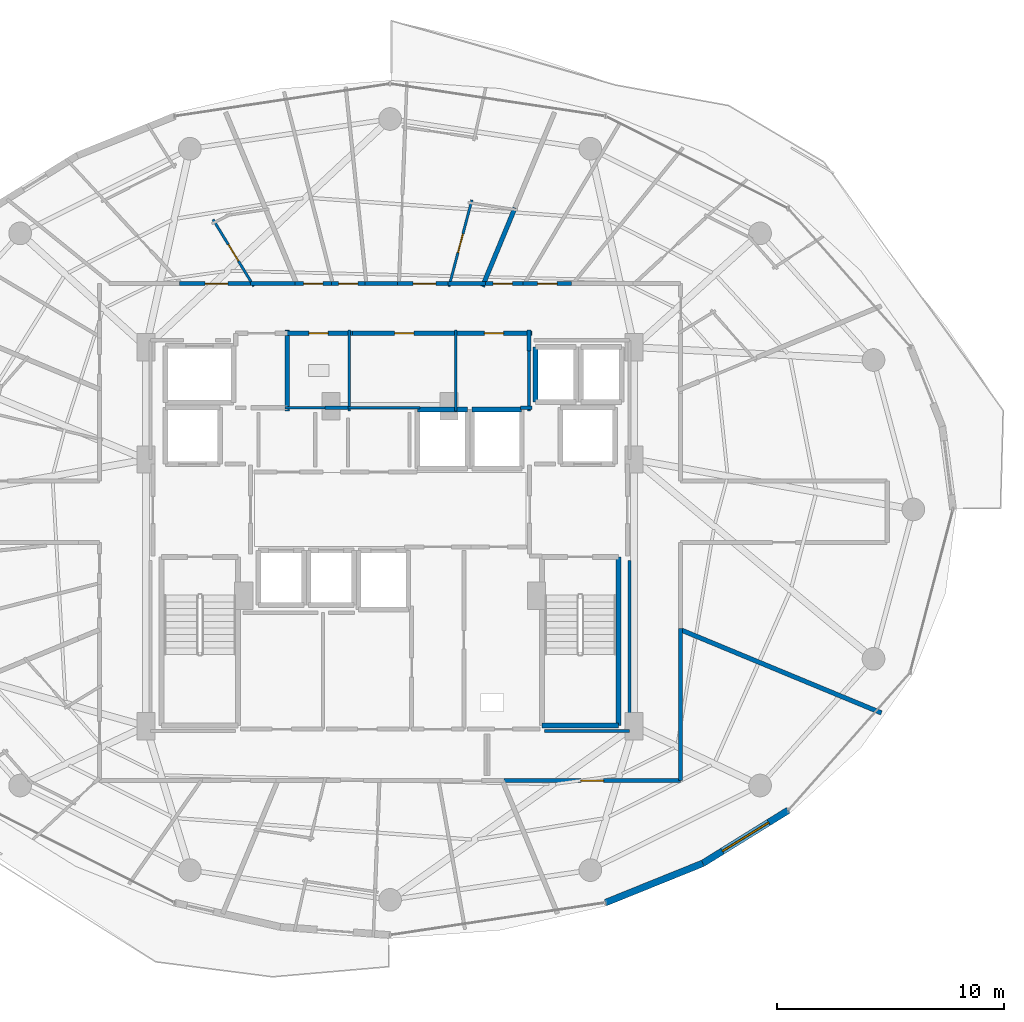
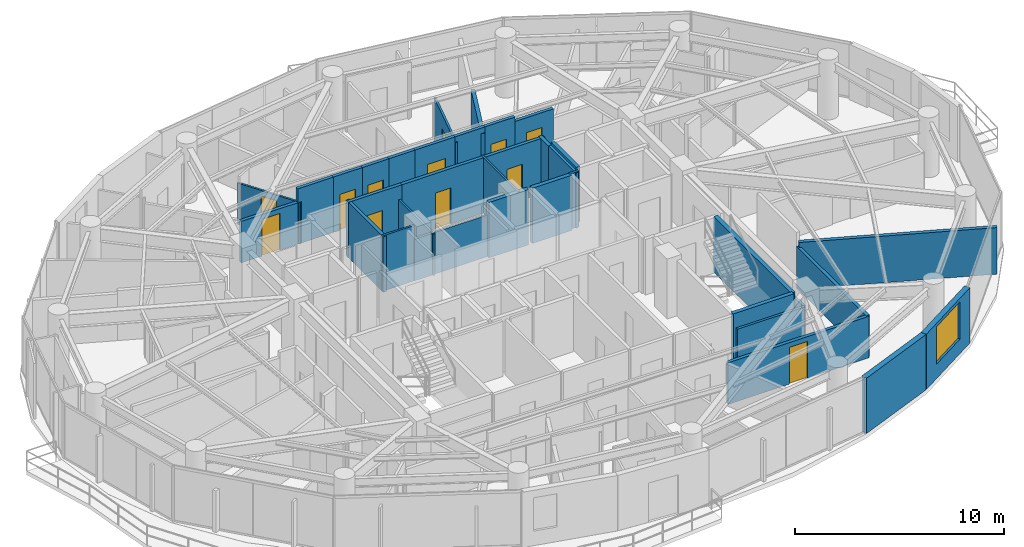
# One storey, part 23 of 28: 36 walls, 12 doors, 1 window, 13 openings.
"""IFC4 building model written with IfcOpenShell, lengths in metres."""

from ifc_helpers import new_model, si_unit, direction, frame, frame_2d, origin, place, context, subcontext, project, spatial, rectangle, extrude, material, layer, layer_set, type_object, element, fill, save


model = new_model("IFC4")

# Units and contexts
model_context = context("Model", 3, precision=1e-05, world=origin(), true_north=direction((0.0, 1.0)))
body_context = subcontext(model_context, "Body", "Model", "MODEL_VIEW")
ifc_project = project(units=[si_unit("LENGTHUNIT", "METRE"), si_unit("AREAUNIT", "SQUARE_METRE"), si_unit("VOLUMEUNIT", "CUBIC_METRE"), si_unit("PLANEANGLEUNIT", "RADIAN"), si_unit("MASSUNIT", "GRAM", prefix="KILO")], contexts=[model_context])

# Site, building, storey
site_placement = place(None, origin())
site = spatial("IfcSite", under=ifc_project, at=site_placement, CompositionType="ELEMENT")
building_placement = place(site_placement, origin())
building = spatial("IfcBuilding", under=site, at=building_placement, Name="Vorneva Point Tower", CompositionType="ELEMENT")
storey_placement = place(building_placement, frame((0.0, 0.0, 143.10009765625)))
storey = spatial("IfcBuildingStorey", under=building, at=storey_placement, Name="L38", CompositionType="ELEMENT", Elevation=143.10009765625)

# Wall
ifc_material_1 = material(Name="Precast concrete B50 (C40/50)", Category="concrete")
ifc_layer_1 = layer(ifc_material_1, 0.300048828125)
ifc_layer_set_1 = layer_set([ifc_layer_1], Name="Precast concrete B50 (C40/50)")
wall_type_1 = type_object("IfcWallType", Name="WL-EXT-300", PredefinedType="STANDARD", material=ifc_layer_set_1)
wall_1_placement = place(storey_placement, frame((47.490478515625, 8.67724609375, 0.0), z_axis=(0.0, 0.0, 1.0), x_axis=(0.927156504392, 0.374674280359, 0.0)))
element("IfcWall", 1, at=wall_1_placement, inside=storey, type_object=wall_type_1, Name="L38 Pale-Metal Facade Spandrel Wall 14.1", PredefinedType="STANDARD", context=body_context, shape_type="SweptSolid", body=[
    extrude(rectangle(XDim=4.62451171875, YDim=0.300048828125, at=frame_2d((2.312255859375, 0.0))), origin(), (0.0, 0.0, 1.0), 3.239990234375),
])

# Wall, opening, window
wall_2_placement = place(storey_placement, frame((51.778076171875, 10.409912109375, 0.0), z_axis=(0.0, 0.0, 1.0), x_axis=(0.849721181976, 0.527232313977, 0.0)))
wall_2 = element("IfcWall", 2, at=wall_2_placement, inside=storey, type_object=wall_type_1, Name="L38 Pale-Metal Facade Spandrel Wall 14.2", PredefinedType="STANDARD", context=body_context, shape_type="SweptSolid", body=[
    extrude(rectangle(XDim=4.422607421875, YDim=0.300048828125, at=frame_2d((2.21142578125, 0.0))), origin(), (0.0, 0.0, 1.0), 3.239990234375),
])
opening_1_placement = place(wall_2_placement, frame((1.011474609375, 0.0, 0.85009765625)))
opening_1 = element("IfcOpeningElement", 3, at=opening_1_placement, cuts=wall_2, Name="Opening W-03", PredefinedType="OPENING", context=body_context, shape_type="SweptSolid", body=[
    extrude(rectangle(XDim=2.39990234375, YDim=2.18994140625, at=frame_2d((1.199951171875, 1.094970703125))), frame((0.0, 0.1650390625, 0.0), z_axis=(0.0, -1.0, 0.0), x_axis=(1.0, 0.0, 0.0)), (0.0, 0.0, 1.0), 0.329833984375),
])
ifc_material_2 = material(Name="Double low-e laminated glass IGU", Category="glass")
window_type = type_object("IfcWindowType", Name="WN-RES-2400", PartitioningType="SINGLE_PANEL", PredefinedType="WINDOW", material=ifc_material_2)
window_placement = place(opening_1_placement, origin())
window = element("IfcWindow", 4, at=window_placement, inside=storey, type_object=window_type, Name="L38 Facade Window 14", OverallHeight=2.18994140625, OverallWidth=2.39990234375, PartitioningType="SINGLE_PANEL", PredefinedType="WINDOW", context=body_context, shape_type="SweptSolid", body=[
    extrude(rectangle(XDim=2.39990234375, YDim=2.18994140625, at=frame_2d((1.199951171875, 1.094970703125))), frame((0.0, 0.030029296875, 0.0), z_axis=(0.0, -1.0, 0.0), x_axis=(1.0, 0.0, 0.0)), (0.0, 0.0, 1.0), 0.06005859375),
])
fill(opening_1, window)

# Walls
ifc_material_3 = material(Name="Fire-rated acoustic gypsum stud partition", Category="gypsum")
ifc_layer_2 = layer(ifc_material_3, 0.110107421875)
ifc_layer_set_2 = layer_set([ifc_layer_2], Name="Fire-rated acoustic gypsum stud partition")
wall_type_2 = type_object("IfcWallType", Name="WL-PART-110", PredefinedType="PARTITIONING", material=ifc_layer_set_2)
wall_3_placement = place(storey_placement, frame((36.199951171875, 30.340087890625, 0.0), z_axis=(0.0, 0.0, 1.0), x_axis=(0.0, 1.0, 0.0)))
element("IfcWall", 5, at=wall_3_placement, inside=storey, type_object=wall_type_2, Name="L38 Interior Partition 018", PredefinedType="PARTITIONING", context=body_context, shape_type="SweptSolid", body=[
    extrude(rectangle(XDim=3.559814453125, YDim=0.110107421875, at=frame_2d((1.77978515625, 0.0))), origin(), (0.0, 0.0, 1.0), 2.431884765625),
])
wall_4_placement = place(storey_placement, frame((33.360107421875, 30.47998046875, 0.0), z_axis=(0.0, 0.0, 1.0), x_axis=(1.0, 0.0, 0.0)))
element("IfcWall", 6, at=wall_4_placement, inside=storey, type_object=wall_type_2, Name="L38 Interior Partition 019", PredefinedType="PARTITIONING", context=body_context, shape_type="SweptSolid", body=[
    extrude(rectangle(XDim=1.809814453125, YDim=0.110107421875, at=frame_2d((0.90478515625, 0.0))), origin(), (0.0, 0.0, 1.0), 3.239990234375),
])
wall_5_placement = place(storey_placement, frame((40.89990234375, 30.340087890625, 0.0), z_axis=(0.0, 0.0, 1.0), x_axis=(0.0, 1.0, 0.0)))
element("IfcWall", 7, at=wall_5_placement, inside=storey, type_object=wall_type_2, Name="L38 Interior Partition 021", PredefinedType="PARTITIONING", context=body_context, shape_type="SweptSolid", body=[
    extrude(rectangle(XDim=3.559814453125, YDim=0.110107421875, at=frame_2d((1.77978515625, 0.0))), origin(), (0.0, 0.0, 1.0), 3.239990234375),
])
wall_6_placement = place(storey_placement, frame((36.110107421875, 30.47998046875, 0.0), z_axis=(0.0, 0.0, 1.0), x_axis=(1.0, 0.0, 0.0)))
element("IfcWall", 8, at=wall_6_placement, inside=storey, type_object=wall_type_2, Name="L38 Interior Partition 022", PredefinedType="PARTITIONING", context=body_context, shape_type="SweptSolid", body=[
    extrude(rectangle(XDim=3.2099609375, YDim=0.110107421875, at=frame_2d((1.60498046875, 0.0))), origin(), (0.0, 0.0, 1.0), 2.431884765625),
])

# Wall, opening, door
wall_7_placement = place(storey_placement, frame((40.59423828125, 35.814697265625, 0.0), z_axis=(0.0, 0.0, 1.0), x_axis=(0.255512094359, 0.966805859331, 0.0)))
wall_7 = element("IfcWall", 9, at=wall_7_placement, inside=storey, type_object=wall_type_2, Name="L38 Interior Partition 082", PredefinedType="PARTITIONING", context=body_context, shape_type="SweptSolid", body=[
    extrude(rectangle(XDim=3.950927734375, YDim=0.110107421875, at=frame_2d((1.9755859375, 0.0))), origin(), (0.0, 0.0, 1.0), 2.921875),
])
opening_2_placement = place(wall_7_placement, frame((1.550537109375, 0.0, 0.0)))
opening_2 = element("IfcOpeningElement", 10, at=opening_2_placement, cuts=wall_7, Name="Opening ID-02", PredefinedType="OPENING", context=body_context, shape_type="SweptSolid", body=[
    extrude(rectangle(XDim=0.85009765625, YDim=2.10009765625, at=frame_2d((0.425048828125, 1.050048828125))), frame((0.0, 0.06982421875, 0.0), z_axis=(0.0, -1.0, 0.0), x_axis=(1.0, 0.0, 0.0)), (0.0, 0.0, 1.0), 0.139892578125),
])
ifc_material_4 = material(Name="Engineered oak fire-rated door leaf", Category="wood")
door_type_1 = type_object("IfcDoorType", Name="DR-BATH-850", OperationType="NOTDEFINED", PredefinedType="DOOR", material=ifc_material_4)
door_1_placement = place(opening_2_placement, origin())
door_1 = element("IfcDoor", 11, at=door_1_placement, inside=storey, type_object=door_type_1, Name="L38 Door Living and Dining Room L38-02 / Bathroom L38-02", OperationType="SINGLE_SWING_LEFT", OverallHeight=2.10009765625, OverallWidth=0.85009765625, PredefinedType="DOOR", context=body_context, shape_type="SweptSolid", body=[
    extrude(rectangle(XDim=0.85009765625, YDim=2.10009765625, at=frame_2d((0.425048828125, 1.050048828125))), frame((0.0, 0.02490234375, 0.0), z_axis=(0.0, -1.0, 0.0), x_axis=(1.0, 0.0, 0.0)), (0.0, 0.0, 1.0), 0.050048828125),
])
fill(opening_2, door_1)

wall_8_placement = place(storey_placement, frame((31.9970703125, 35.83056640625, 0.0), z_axis=(0.0, 0.0, 1.0), x_axis=(-0.521220733209, 0.853421904613, 0.0)))
wall_8 = element("IfcWall", 12, at=wall_8_placement, inside=storey, type_object=wall_type_2, Name="L38 Interior Partition 092", PredefinedType="PARTITIONING", context=body_context, shape_type="SweptSolid", body=[
    extrude(rectangle(XDim=3.446044921875, YDim=0.110107421875, at=frame_2d((1.72314453125, 0.0))), origin(), (0.0, 0.0, 1.0), 2.431884765625),
])
opening_3_placement = place(wall_8_placement, frame((1.298095703125, 0.0, 0.0)))
opening_3 = element("IfcOpeningElement", 13, at=opening_3_placement, cuts=wall_8, Name="Opening ID-02", PredefinedType="OPENING", context=body_context, shape_type="SweptSolid", body=[
    extrude(rectangle(XDim=0.85009765625, YDim=2.10009765625, at=frame_2d((0.425048828125, 1.050048828125))), frame((0.0, 0.06982421875, 0.0), z_axis=(0.0, -1.0, 0.0), x_axis=(1.0, 0.0, 0.0)), (0.0, 0.0, 1.0), 0.139892578125),
])
door_2_placement = place(opening_3_placement, origin())
door_2 = element("IfcDoor", 14, at=door_2_placement, inside=storey, type_object=door_type_1, Name="L38 Door Living and Dining Room L38-03 / Bathroom L38-03", OperationType="SINGLE_SWING_RIGHT", OverallHeight=2.10009765625, OverallWidth=0.85009765625, PredefinedType="DOOR", context=body_context, shape_type="SweptSolid", body=[
    extrude(rectangle(XDim=0.85009765625, YDim=2.10009765625, at=frame_2d((0.425048828125, 1.050048828125))), frame((0.0, 0.02490234375, 0.0), z_axis=(0.0, -1.0, 0.0), x_axis=(1.0, 0.0, 0.0)), (0.0, 0.0, 1.0), 0.050048828125),
])
fill(opening_3, door_2)

# Walls
ifc_layer_3 = layer(ifc_material_3, 0.139892578125)
ifc_layer_set_3 = layer_set([ifc_layer_3], Name="Fire-rated acoustic gypsum stud partition")
wall_type_3 = type_object("IfcWallType", Name="WL-PART-140", PredefinedType="PARTITIONING", material=ifc_layer_set_3)
wall_9_placement = place(storey_placement, frame((35.139892578125, 30.47998046875, 0.0), z_axis=(0.0, 0.0, 1.0), x_axis=(1.0, 0.0, 0.0)))
element("IfcWall", 15, at=wall_9_placement, inside=storey, type_object=wall_type_3, Name="L38 Interior Closure Partition 137", PredefinedType="PARTITIONING", context=body_context, shape_type="SweptSolid", body=[
    extrude(rectangle(XDim=1.0, YDim=0.139892578125, at=frame_2d((0.5, 0.0))), origin(), (0.0, 0.0, 1.0), 2.431884765625),
])
wall_10_placement = place(storey_placement, frame((43.735107421875, 30.47998046875, 0.0), z_axis=(0.0, 0.0, 1.0), x_axis=(1.0, 0.0, 0.0)))
element("IfcWall", 16, at=wall_10_placement, inside=storey, type_object=wall_type_3, Name="L38 Interior Closure Partition 138", PredefinedType="PARTITIONING", context=body_context, shape_type="SweptSolid", body=[
    extrude(rectangle(XDim=0.52490234375, YDim=0.139892578125, at=frame_2d((0.262451171875, 0.0))), origin(), (0.0, 0.0, 1.0), 3.239990234375),
])
wall_11_placement = place(storey_placement, frame((44.1201171875, 30.340087890625, 0.0), z_axis=(0.0, 0.0, 1.0), x_axis=(0.0, 1.0, 0.0)))
element("IfcWall", 17, at=wall_11_placement, inside=storey, type_object=wall_type_3, Name="L38 Interior Closure Partition 139", PredefinedType="PARTITIONING", context=body_context, shape_type="SweptSolid", body=[
    extrude(rectangle(XDim=2.659912109375, YDim=0.139892578125, at=frame_2d((1.330078125, 0.0))), origin(), (0.0, 0.0, 1.0), 3.239990234375),
])
wall_12_placement = place(storey_placement, frame((48.550048828125, 16.239990234375, 0.0), z_axis=(0.0, 0.0, 1.0), x_axis=(0.0, 1.0, 0.0)))
element("IfcWall", 18, at=wall_12_placement, inside=storey, type_object=wall_type_3, Name="L38 Interior Closure Partition 146", PredefinedType="PARTITIONING", context=body_context, shape_type="SweptSolid", body=[
    extrude(rectangle(XDim=7.513916015625, YDim=0.139892578125, at=frame_2d((3.7568359375, 0.0))), origin(), (0.0, 0.0, 1.0), 2.431884765625),
])
wall_13_placement = place(storey_placement, frame((44.804931640625, 16.239990234375, 0.0), z_axis=(0.0, 0.0, 1.0), x_axis=(1.0, 0.0, 0.0)))
element("IfcWall", 19, at=wall_13_placement, inside=storey, type_object=wall_type_3, Name="L38 Interior Closure Partition 156", PredefinedType="PARTITIONING", context=body_context, shape_type="SweptSolid", body=[
    extrude(rectangle(XDim=3.7451171875, YDim=0.139892578125, at=frame_2d((1.87255859375, 0.0))), origin(), (0.0, 0.0, 1.0), 2.431884765625),
])
ifc_material_5 = material(Name="Autoclaved aerated concrete blockwork", Category="masonry")
ifc_layer_4 = layer(ifc_material_5, 0.179931640625)
ifc_layer_set_4 = layer_set([ifc_layer_4], Name="Autoclaved aerated concrete blockwork")
wall_type_4 = type_object("IfcWallType", Name="WL-PART-180", PredefinedType="PARTITIONING", material=ifc_layer_set_4)
wall_14_placement = place(storey_placement, frame((33.469970703125, 30.340087890625, 0.0), z_axis=(0.0, 0.0, 1.0), x_axis=(0.0, 1.0, 0.0)))
element("IfcWall", 20, at=wall_14_placement, inside=storey, type_object=wall_type_4, Name="L38 Interior Partition 006", PredefinedType="PARTITIONING", context=body_context, shape_type="SweptSolid", body=[
    extrude(rectangle(XDim=3.559814453125, YDim=0.179931640625, at=frame_2d((1.77978515625, 0.0))), origin(), (0.0, 0.0, 1.0), 3.239990234375),
])

# Wall, opening, door
wall_15_placement = place(storey_placement, frame((36.340087890625, 33.760009765625, 0.0), z_axis=(0.0, 0.0, 1.0), x_axis=(-1.0, 0.0, 0.0)))
wall_15 = element("IfcWall", 21, at=wall_15_placement, inside=storey, type_object=wall_type_4, Name="L38 Interior Partition 020", PredefinedType="PARTITIONING", context=body_context, shape_type="SweptSolid", body=[
    extrude(rectangle(XDim=2.97998046875, YDim=0.179931640625, at=frame_2d((1.489990234375, 0.0))), origin(), (0.0, 0.0, 1.0), 3.239990234375),
])
opening_4_placement = place(wall_15_placement, frame((1.06494140625, 0.0, 0.0)))
opening_4 = element("IfcOpeningElement", 22, at=opening_4_placement, cuts=wall_15, Name="Opening ID-02", PredefinedType="OPENING", context=body_context, shape_type="SweptSolid", body=[
    extrude(rectangle(XDim=0.85009765625, YDim=2.10009765625, at=frame_2d((0.425048828125, 1.050048828125))), frame((0.0, 0.10498046875, 0.0), z_axis=(0.0, -1.0, 0.0), x_axis=(1.0, 0.0, 0.0)), (0.0, 0.0, 1.0), 0.209716796875),
])
door_3_placement = place(opening_4_placement, origin())
door_3 = element("IfcDoor", 23, at=door_3_placement, inside=storey, type_object=door_type_1, Name="L38 Door Public Male WC / L38 Circulation Corridor", OperationType="SINGLE_SWING_LEFT", OverallHeight=2.10009765625, OverallWidth=0.85009765625, PredefinedType="DOOR", context=body_context, shape_type="SweptSolid", body=[
    extrude(rectangle(XDim=0.85009765625, YDim=2.10009765625, at=frame_2d((0.425048828125, 1.050048828125))), frame((0.0, 0.02490234375, 0.0), z_axis=(0.0, -1.0, 0.0), x_axis=(1.0, 0.0, 0.0)), (0.0, 0.0, 1.0), 0.050048828125),
])
fill(opening_4, door_3)

wall_16_placement = place(storey_placement, frame((41.0400390625, 33.760009765625, 0.0), z_axis=(0.0, 0.0, 1.0), x_axis=(-1.0, 0.0, 0.0)))
wall_16 = element("IfcWall", 24, at=wall_16_placement, inside=storey, type_object=wall_type_4, Name="L38 Interior Partition 023", PredefinedType="PARTITIONING", context=body_context, shape_type="SweptSolid", body=[
    extrude(rectangle(XDim=4.840087890625, YDim=0.179931640625, at=frame_2d((2.419921875, 0.0))), origin(), (0.0, 0.0, 1.0), 3.239990234375),
])
opening_5_placement = place(wall_16_placement, frame((1.9951171875, 0.0, 0.0)))
opening_5 = element("IfcOpeningElement", 25, at=opening_5_placement, cuts=wall_16, Name="Opening ID-02", PredefinedType="OPENING", context=body_context, shape_type="SweptSolid", body=[
    extrude(rectangle(XDim=0.85009765625, YDim=2.10009765625, at=frame_2d((0.425048828125, 1.050048828125))), frame((0.0, 0.10498046875, 0.0), z_axis=(0.0, -1.0, 0.0), x_axis=(1.0, 0.0, 0.0)), (0.0, 0.0, 1.0), 0.209716796875),
])
door_4_placement = place(opening_5_placement, origin())
door_4 = element("IfcDoor", 26, at=door_4_placement, inside=storey, type_object=door_type_1, Name="L38 Door Public Female WC / L38 Circulation Corridor", OperationType="SINGLE_SWING_RIGHT", OverallHeight=2.10009765625, OverallWidth=0.85009765625, PredefinedType="DOOR", context=body_context, shape_type="SweptSolid", body=[
    extrude(rectangle(XDim=0.85009765625, YDim=2.10009765625, at=frame_2d((0.425048828125, 1.050048828125))), frame((0.0, 0.02490234375, 0.0), z_axis=(0.0, -1.0, 0.0), x_axis=(1.0, 0.0, 0.0)), (0.0, 0.0, 1.0), 0.050048828125),
])
fill(opening_5, door_4)

wall_17_placement = place(storey_placement, frame((44.260009765625, 33.760009765625, 0.0), z_axis=(0.0, 0.0, 1.0), x_axis=(-1.0, 0.0, 0.0)))
wall_17 = element("IfcWall", 27, at=wall_17_placement, inside=storey, type_object=wall_type_4, Name="L38 Interior Partition 024", PredefinedType="PARTITIONING", context=body_context, shape_type="SweptSolid", body=[
    extrude(rectangle(XDim=3.360107421875, YDim=0.179931640625, at=frame_2d((1.68017578125, 0.0))), origin(), (0.0, 0.0, 1.0), 3.239990234375),
])
opening_6_placement = place(wall_17_placement, frame((1.2548828125, 0.0, 0.0)))
opening_6 = element("IfcOpeningElement", 28, at=opening_6_placement, cuts=wall_17, Name="Opening ID-02", PredefinedType="OPENING", context=body_context, shape_type="SweptSolid", body=[
    extrude(rectangle(XDim=0.85009765625, YDim=2.10009765625, at=frame_2d((0.425048828125, 1.050048828125))), frame((0.0, 0.10498046875, 0.0), z_axis=(0.0, -1.0, 0.0), x_axis=(1.0, 0.0, 0.0)), (0.0, 0.0, 1.0), 0.209716796875),
])
door_5_placement = place(opening_6_placement, origin())
door_5 = element("IfcDoor", 29, at=door_5_placement, inside=storey, type_object=door_type_1, Name="L38 Door Accessible WC / L38 Circulation Corridor", OperationType="SINGLE_SWING_LEFT", OverallHeight=2.10009765625, OverallWidth=0.85009765625, PredefinedType="DOOR", context=body_context, shape_type="SweptSolid", body=[
    extrude(rectangle(XDim=0.85009765625, YDim=2.10009765625, at=frame_2d((0.425048828125, 1.050048828125))), frame((0.0, 0.02490234375, 0.0), z_axis=(0.0, -1.0, 0.0), x_axis=(1.0, 0.0, 0.0)), (0.0, 0.0, 1.0), 0.050048828125),
])
fill(opening_6, door_5)

# Wall
wall_18_placement = place(storey_placement, frame((44.1201171875, 32.969970703125, 0.0), z_axis=(0.0, 0.0, 1.0), x_axis=(0.0, 1.0, 0.0)))
element("IfcWall", 30, at=wall_18_placement, inside=storey, type_object=wall_type_4, Name="L38 Interior Partition 025", PredefinedType="PARTITIONING", context=body_context, shape_type="SweptSolid", body=[
    extrude(rectangle(XDim=0.929931640625, YDim=0.179931640625, at=frame_2d((0.46484375, 0.0))), origin(), (0.0, 0.0, 1.0), 3.239990234375),
])

# Wall, opening, door
wall_19_placement = place(storey_placement, frame((45.9970703125, 35.949951171875, 0.0), z_axis=(0.0, 0.0, 1.0), x_axis=(-1.0, 0.0, 0.0)))
wall_19 = element("IfcWall", 31, at=wall_19_placement, inside=storey, type_object=wall_type_4, Name="L38 Interior Partition 033", PredefinedType="PARTITIONING", context=body_context, shape_type="SweptSolid", body=[
    extrude(rectangle(XDim=2.136962890625, YDim=0.179931640625, at=frame_2d((1.068359375, 0.0))), origin(), (0.0, 0.0, 1.0), 2.971923828125),
])
opening_7_placement = place(wall_19_placement, frame((0.6435546875, 0.0, 0.0)))
opening_7 = element("IfcOpeningElement", 32, at=opening_7_placement, cuts=wall_19, Name="Opening ID-02", PredefinedType="OPENING", context=body_context, shape_type="SweptSolid", body=[
    extrude(rectangle(XDim=0.85009765625, YDim=2.10009765625, at=frame_2d((0.425048828125, 1.050048828125))), frame((0.0, 0.10498046875, 0.0), z_axis=(0.0, -1.0, 0.0), x_axis=(1.0, 0.0, 0.0)), (0.0, 0.0, 1.0), 0.209716796875),
])
door_6_placement = place(opening_7_placement, origin())
door_6 = element("IfcDoor", 33, at=door_6_placement, inside=storey, type_object=door_type_1, Name="L38 Access Door L38 Circulation Corridor", OperationType="SINGLE_SWING_RIGHT", OverallHeight=2.10009765625, OverallWidth=0.85009765625, PredefinedType="DOOR", context=body_context, shape_type="SweptSolid", body=[
    extrude(rectangle(XDim=0.85009765625, YDim=2.10009765625, at=frame_2d((0.425048828125, 1.050048828125))), frame((0.0, 0.02490234375, 0.0), z_axis=(0.0, -1.0, 0.0), x_axis=(1.0, 0.0, 0.0)), (0.0, 0.0, 1.0), 0.050048828125),
])
fill(opening_7, door_6)

wall_20_placement = place(storey_placement, frame((43.860107421875, 35.949951171875, 0.0), z_axis=(0.0, 0.0, 1.0), x_axis=(-1.0, 0.0, 0.0)))
wall_20 = element("IfcWall", 34, at=wall_20_placement, inside=storey, type_object=wall_type_4, Name="L38 Interior Partition 034", PredefinedType="PARTITIONING", context=body_context, shape_type="SweptSolid", body=[
    extrude(rectangle(XDim=1.799072265625, YDim=0.179931640625, at=frame_2d((0.8994140625, 0.0))), origin(), (0.0, 0.0, 1.0), 3.239990234375),
])
opening_8_placement = place(wall_20_placement, frame((0.474609375, 0.0, 0.0)))
opening_8 = element("IfcOpeningElement", 35, at=opening_8_placement, cuts=wall_20, Name="Opening ID-02", PredefinedType="OPENING", context=body_context, shape_type="SweptSolid", body=[
    extrude(rectangle(XDim=0.85009765625, YDim=2.10009765625, at=frame_2d((0.425048828125, 1.050048828125))), frame((0.0, 0.10498046875, 0.0), z_axis=(0.0, -1.0, 0.0), x_axis=(1.0, 0.0, 0.0)), (0.0, 0.0, 1.0), 0.209716796875),
])
door_7_placement = place(opening_8_placement, origin())
door_7 = element("IfcDoor", 36, at=door_7_placement, inside=storey, type_object=door_type_1, Name="L38 Access Door L38 Circulation Corridor", OperationType="SINGLE_SWING_LEFT", OverallHeight=2.10009765625, OverallWidth=0.85009765625, PredefinedType="DOOR", context=body_context, shape_type="SweptSolid", body=[
    extrude(rectangle(XDim=0.85009765625, YDim=2.10009765625, at=frame_2d((0.425048828125, 1.050048828125))), frame((0.0, 0.02490234375, 0.0), z_axis=(0.0, -1.0, 0.0), x_axis=(1.0, 0.0, 0.0)), (0.0, 0.0, 1.0), 0.050048828125),
])
fill(opening_8, door_7)

wall_21_placement = place(storey_placement, frame((40.69189453125, 35.949951171875, 0.0), z_axis=(0.0, 0.0, 1.0), x_axis=(-1.0, 0.0, 0.0)))
wall_21 = element("IfcWall", 37, at=wall_21_placement, inside=storey, type_object=wall_type_4, Name="L38 Interior Partition 035", PredefinedType="PARTITIONING", context=body_context, shape_type="SweptSolid", body=[
    extrude(rectangle(XDim=2.36083984375, YDim=0.179931640625, at=frame_2d((1.180419921875, 0.0))), origin(), (0.0, 0.0, 1.0), 3.239990234375),
])
opening_9_placement = place(wall_21_placement, frame((0.680419921875, 0.0, 0.0)))
opening_9 = element("IfcOpeningElement", 38, at=opening_9_placement, cuts=wall_21, Name="Opening UD-01", PredefinedType="OPENING", context=body_context, shape_type="SweptSolid", body=[
    extrude(rectangle(XDim=1.0, YDim=2.14990234375, at=frame_2d((0.5, 1.074951171875))), frame((0.0, 0.10498046875, 0.0), z_axis=(0.0, -1.0, 0.0), x_axis=(1.0, 0.0, 0.0)), (0.0, 0.0, 1.0), 0.209716796875),
])
door_type_2 = type_object("IfcDoorType", Name="DR-UNIT-1000", OperationType="NOTDEFINED", PredefinedType="DOOR", material=ifc_material_4)
door_8_placement = place(opening_9_placement, origin())
door_8 = element("IfcDoor", 39, at=door_8_placement, inside=storey, type_object=door_type_2, Name="L38 Door L38 Circulation Corridor / Living and Dining Room L38-02", OperationType="SINGLE_SWING_LEFT", OverallHeight=2.14990234375, OverallWidth=1.0, PredefinedType="DOOR", context=body_context, shape_type="SweptSolid", body=[
    extrude(rectangle(XDim=1.0, YDim=2.14990234375, at=frame_2d((0.5, 1.074951171875))), frame((0.0, 0.02490234375, 0.0), z_axis=(0.0, -1.0, 0.0), x_axis=(1.0, 0.0, 0.0)), (0.0, 0.0, 1.0), 0.050048828125),
])
fill(opening_9, door_8)

# Walls
wall_22_placement = place(storey_placement, frame((42.200927734375, 35.949951171875, 0.0), z_axis=(0.0, 0.0, 1.0), x_axis=(-1.0, 0.0, 0.0)))
element("IfcWall", 40, at=wall_22_placement, inside=storey, type_object=wall_type_4, Name="L38 Interior Partition 036", PredefinedType="PARTITIONING", context=body_context, shape_type="SweptSolid", body=[
    extrude(rectangle(XDim=1.64892578125, YDim=0.179931640625, at=frame_2d((0.824462890625, 0.0))), origin(), (0.0, 0.0, 1.0), 3.239990234375),
])
wall_23_placement = place(storey_placement, frame((38.3310546875, 35.949951171875, 0.0), z_axis=(0.0, 0.0, 1.0), x_axis=(-1.0, 0.0, 0.0)))
element("IfcWall", 41, at=wall_23_placement, inside=storey, type_object=wall_type_4, Name="L38 Interior Partition 037", PredefinedType="PARTITIONING", context=body_context, shape_type="SweptSolid", body=[
    extrude(rectangle(XDim=1.43701171875, YDim=0.179931640625, at=frame_2d((0.718505859375, 0.0))), origin(), (0.0, 0.0, 1.0), 3.239990234375),
])

# Wall, opening, door
wall_24_placement = place(storey_placement, frame((36.89404296875, 35.949951171875, 0.0), z_axis=(0.0, 0.0, 1.0), x_axis=(-1.0, 0.0, 0.0)))
wall_24 = element("IfcWall", 42, at=wall_24_placement, inside=storey, type_object=wall_type_4, Name="L38 Interior Partition 038", PredefinedType="PARTITIONING", context=body_context, shape_type="SweptSolid", body=[
    extrude(rectangle(XDim=1.483154296875, YDim=0.179931640625, at=frame_2d((0.74169921875, 0.0))), origin(), (0.0, 0.0, 1.0), 3.239990234375),
])
opening_10_placement = place(wall_24_placement, frame((0.31640625, 0.0, 0.0)))
opening_10 = element("IfcOpeningElement", 43, at=opening_10_placement, cuts=wall_24, Name="Opening ID-02", PredefinedType="OPENING", context=body_context, shape_type="SweptSolid", body=[
    extrude(rectangle(XDim=0.85009765625, YDim=2.10009765625, at=frame_2d((0.425048828125, 1.050048828125))), frame((0.0, 0.10498046875, 0.0), z_axis=(0.0, -1.0, 0.0), x_axis=(1.0, 0.0, 0.0)), (0.0, 0.0, 1.0), 0.209716796875),
])
door_9_placement = place(opening_10_placement, origin())
door_9 = element("IfcDoor", 44, at=door_9_placement, inside=storey, type_object=door_type_1, Name="L38 Access Door L38 Circulation Corridor", OperationType="SINGLE_SWING_RIGHT", OverallHeight=2.10009765625, OverallWidth=0.85009765625, PredefinedType="DOOR", context=body_context, shape_type="SweptSolid", body=[
    extrude(rectangle(XDim=0.85009765625, YDim=2.10009765625, at=frame_2d((0.425048828125, 1.050048828125))), frame((0.0, 0.02490234375, 0.0), z_axis=(0.0, -1.0, 0.0), x_axis=(1.0, 0.0, 0.0)), (0.0, 0.0, 1.0), 0.050048828125),
])
fill(opening_10, door_9)

wall_25_placement = place(storey_placement, frame((35.410888671875, 35.949951171875, 0.0), z_axis=(0.0, 0.0, 1.0), x_axis=(-1.0, 0.0, 0.0)))
wall_25 = element("IfcWall", 45, at=wall_25_placement, inside=storey, type_object=wall_type_4, Name="L38 Interior Partition 039", PredefinedType="PARTITIONING", context=body_context, shape_type="SweptSolid", body=[
    extrude(rectangle(XDim=1.596923828125, YDim=0.179931640625, at=frame_2d((0.79833984375, 0.0))), origin(), (0.0, 0.0, 1.0), 3.239990234375),
])
opening_11_placement = place(wall_25_placement, frame((0.37353515625, 0.0, 0.0)))
opening_11 = element("IfcOpeningElement", 46, at=opening_11_placement, cuts=wall_25, Name="Opening ID-02", PredefinedType="OPENING", context=body_context, shape_type="SweptSolid", body=[
    extrude(rectangle(XDim=0.85009765625, YDim=2.10009765625, at=frame_2d((0.425048828125, 1.050048828125))), frame((0.0, 0.10498046875, 0.0), z_axis=(0.0, -1.0, 0.0), x_axis=(1.0, 0.0, 0.0)), (0.0, 0.0, 1.0), 0.209716796875),
])
door_10_placement = place(opening_11_placement, origin())
door_10 = element("IfcDoor", 47, at=door_10_placement, inside=storey, type_object=door_type_1, Name="L38 Access Door L38 Circulation Corridor", OperationType="SINGLE_SWING_LEFT", OverallHeight=2.10009765625, OverallWidth=0.85009765625, PredefinedType="DOOR", context=body_context, shape_type="SweptSolid", body=[
    extrude(rectangle(XDim=0.85009765625, YDim=2.10009765625, at=frame_2d((0.425048828125, 1.050048828125))), frame((0.0, 0.02490234375, 0.0), z_axis=(0.0, -1.0, 0.0), x_axis=(1.0, 0.0, 0.0)), (0.0, 0.0, 1.0), 0.050048828125),
])
fill(opening_11, door_10)

wall_26_placement = place(storey_placement, frame((31.98388671875, 35.949951171875, 0.0), z_axis=(0.0, 0.0, 1.0), x_axis=(-1.0, 0.0, 0.0)))
wall_26 = element("IfcWall", 48, at=wall_26_placement, inside=storey, type_object=wall_type_4, Name="L38 Interior Partition 040", PredefinedType="PARTITIONING", context=body_context, shape_type="SweptSolid", body=[
    extrude(rectangle(XDim=3.263916015625, YDim=0.179931640625, at=frame_2d((1.6318359375, 0.0))), origin(), (0.0, 0.0, 1.0), 2.431884765625),
])
opening_12_placement = place(wall_26_placement, frame((1.132080078125, 0.0, 0.0)))
opening_12 = element("IfcOpeningElement", 49, at=opening_12_placement, cuts=wall_26, Name="Opening UD-01", PredefinedType="OPENING", context=body_context, shape_type="SweptSolid", body=[
    extrude(rectangle(XDim=1.0, YDim=2.14990234375, at=frame_2d((0.5, 1.074951171875))), frame((0.0, 0.10498046875, 0.0), z_axis=(0.0, -1.0, 0.0), x_axis=(1.0, 0.0, 0.0)), (0.0, 0.0, 1.0), 0.209716796875),
])
door_11_placement = place(opening_12_placement, origin())
door_11 = element("IfcDoor", 50, at=door_11_placement, inside=storey, type_object=door_type_2, Name="L38 Door L38 Circulation Corridor / Living and Dining Room L38-03", OperationType="SINGLE_SWING_RIGHT", OverallHeight=2.14990234375, OverallWidth=1.0, PredefinedType="DOOR", context=body_context, shape_type="SweptSolid", body=[
    extrude(rectangle(XDim=1.0, YDim=2.14990234375, at=frame_2d((0.5, 1.074951171875))), frame((0.0, 0.02490234375, 0.0), z_axis=(0.0, -1.0, 0.0), x_axis=(1.0, 0.0, 0.0)), (0.0, 0.0, 1.0), 0.050048828125),
])
fill(opening_12, door_11)

# Wall
wall_27_placement = place(storey_placement, frame((33.9541015625, 35.949951171875, 0.0), z_axis=(0.0, 0.0, 1.0), x_axis=(-1.0, 0.0, 0.0)))
element("IfcWall", 51, at=wall_27_placement, inside=storey, type_object=wall_type_4, Name="L38 Interior Partition 041", PredefinedType="PARTITIONING", context=body_context, shape_type="SweptSolid", body=[
    extrude(rectangle(XDim=2.110107421875, YDim=0.179931640625, at=frame_2d((1.05517578125, 0.0))), origin(), (0.0, 0.0, 1.0), 3.239990234375),
])

# Wall, opening, door
wall_28_placement = place(storey_placement, frame((43.014892578125, 14.050048828125, 0.0), z_axis=(0.0, 0.0, 1.0), x_axis=(1.0, 0.0, 0.0)))
wall_28 = element("IfcWall", 52, at=wall_28_placement, inside=storey, type_object=wall_type_4, Name="L38 Interior Partition 061", PredefinedType="PARTITIONING", context=body_context, shape_type="SweptSolid", body=[
    extrude(rectangle(XDim=7.78515625, YDim=0.179931640625, at=frame_2d((3.892578125, 0.0))), origin(), (0.0, 0.0, 1.0), 2.431884765625),
])
opening_13_placement = place(wall_28_placement, frame((3.392578125, 0.0, 0.0)))
opening_13 = element("IfcOpeningElement", 53, at=opening_13_placement, cuts=wall_28, Name="Opening UD-01", PredefinedType="OPENING", context=body_context, shape_type="SweptSolid", body=[
    extrude(rectangle(XDim=1.0, YDim=2.14990234375, at=frame_2d((0.5, 1.074951171875))), frame((0.0, 0.10498046875, 0.0), z_axis=(0.0, -1.0, 0.0), x_axis=(1.0, 0.0, 0.0)), (0.0, 0.0, 1.0), 0.209716796875),
])
door_12_placement = place(opening_13_placement, origin())
door_12 = element("IfcDoor", 54, at=door_12_placement, inside=storey, type_object=door_type_2, Name="L38 Door L38 Circulation Corridor / Residents Co-Working Office L38-07", OperationType="SINGLE_SWING_RIGHT", OverallHeight=2.14990234375, OverallWidth=1.0, PredefinedType="DOOR", context=body_context, shape_type="SweptSolid", body=[
    extrude(rectangle(XDim=1.0, YDim=2.14990234375, at=frame_2d((0.5, 1.074951171875))), frame((0.0, 0.02490234375, 0.0), z_axis=(0.0, -1.0, 0.0), x_axis=(1.0, 0.0, 0.0)), (0.0, 0.0, 1.0), 0.050048828125),
])
fill(opening_13, door_12)

# Walls
wall_29_placement = place(storey_placement, frame((50.800048828125, 14.050048828125, 0.0), z_axis=(0.0, 0.0, 1.0), x_axis=(0.0, 1.0, 0.0)))
element("IfcWall", 55, at=wall_29_placement, inside=storey, type_object=wall_type_4, Name="L38 Interior Partition 062", PredefinedType="PARTITIONING", context=body_context, shape_type="SweptSolid", body=[
    extrude(rectangle(XDim=6.7080078125, YDim=0.179931640625, at=frame_2d((3.35400390625, 0.0))), origin(), (0.0, 0.0, 1.0), 2.431884765625),
])
ifc_layer_5 = layer(ifc_material_5, 0.199951171875)
ifc_layer_set_5 = layer_set([ifc_layer_5], Name="Autoclaved aerated concrete blockwork")
wall_type_5 = type_object("IfcWallType", Name="WL-PART-200", PredefinedType="PARTITIONING", material=ifc_layer_set_5)
wall_30_placement = place(storey_placement, frame((43.502685546875, 39.285400390625, 0.0), z_axis=(0.0, 0.0, 1.0), x_axis=(-0.382733183699, -0.923858923265, 0.0)))
element("IfcWall", 56, at=wall_30_placement, inside=storey, type_object=wall_type_5, Name="L38 Interior Partition 081", PredefinedType="PARTITIONING", context=body_context, shape_type="SweptSolid", body=[
    extrude(rectangle(XDim=3.750244140625, YDim=0.199951171875, at=frame_2d((1.875, 0.0))), origin(), (0.0, 0.0, 1.0), 2.921875),
])
wall_31_placement = place(storey_placement, frame((59.64501953125, 17.034912109375, 0.0), z_axis=(0.0, 0.0, 1.0), x_axis=(-0.923902460479, 0.382628074665, 0.0)))
element("IfcWall", 57, at=wall_31_placement, inside=storey, type_object=wall_type_5, Name="L38 Interior Partition 133", PredefinedType="PARTITIONING", context=body_context, shape_type="SweptSolid", body=[
    extrude(rectangle(XDim=9.573486328125, YDim=0.199951171875, at=frame_2d((4.78662109375, 0.0))), origin(), (0.0, 0.0, 1.0), 2.727783203125),
])
ifc_material_6 = material(Name="Concrete B50 (C40/50)", Category="concrete")
ifc_layer_6 = layer(ifc_material_6, 0.219970703125)
ifc_layer_set_6 = layer_set([ifc_layer_6], Name="Concrete B50 (C40/50)")
wall_type_6 = type_object("IfcWallType", Name="WL-SHFT-220", PredefinedType="SOLIDWALL", material=ifc_layer_set_6)
wall_32_placement = place(storey_placement, frame((48.06005859375, 23.909912109375, 0.0), z_axis=(0.0, 0.0, 1.0), x_axis=(0.0, -1.0, 0.0)))
element("IfcWall", 58, at=wall_32_placement, inside=storey, type_object=wall_type_6, Name="L38 Exit Stair ST2 Shaft Wall right", PredefinedType="SOLIDWALL", context=body_context, shape_type="SweptSolid", body=[
    extrude(rectangle(XDim=7.419921875, YDim=0.219970703125, at=frame_2d((3.7099609375, 0.0))), origin(), (0.0, 0.0, 1.0), 3.239990234375),
])
wall_33_placement = place(storey_placement, frame((48.06005859375, 16.489990234375, 0.0), z_axis=(0.0, 0.0, 1.0), x_axis=(-1.0, 0.0, 0.0)))
element("IfcWall", 59, at=wall_33_placement, inside=storey, type_object=wall_type_6, Name="L38 Exit Stair ST2 Shaft Wall far", PredefinedType="SOLIDWALL", context=body_context, shape_type="SweptSolid", body=[
    extrude(rectangle(XDim=3.3701171875, YDim=0.219970703125, at=frame_2d((1.68505859375, 0.0))), origin(), (0.0, 0.0, 1.0), 3.239990234375),
])
for number, where, z_axis, x_axis, name in (
    (60, (41.39990234375, 30.39990234375, 0.0), (0.0, 0.0, 1.0), (-1.0, 0.0, 0.0), "L38 Lift PL7 Shaft Wall +Y"),
    (61, (43.800048828125, 30.39990234375, 0.0), (0.0, 0.0, 1.0), (-1.0, 0.0, 0.0), "L38 Lift PL8 Shaft Wall +Y"),
):
    element("IfcWall", number, at=place(storey_placement, frame(where, z_axis=z_axis, x_axis=x_axis)), inside=storey, type_object=wall_type_6, Name=name, PredefinedType="SOLIDWALL", context=body_context, shape_type="SweptSolid", body=[
        extrude(rectangle(XDim=2.199951171875, YDim=0.219970703125, at=frame_2d((1.10009765625, 0.0))), origin(), (0.0, 0.0, 1.0), 3.239990234375),
    ])
wall_34_placement = place(storey_placement, frame((44.39990234375, 33.159912109375, 0.0), z_axis=(0.0, 0.0, 1.0), x_axis=(0.0, -1.0, 0.0)))
element("IfcWall", 62, at=wall_34_placement, inside=storey, type_object=wall_type_6, Name="L38 Lift EX1 Shaft Wall -X", PredefinedType="SOLIDWALL", context=body_context, shape_type="SweptSolid", body=[
    extrude(rectangle(XDim=2.419921875, YDim=0.219970703125, at=frame_2d((1.2099609375, 0.0))), origin(), (0.0, 0.0, 1.0), 3.239990234375),
])

save(model, "model.ifc")
